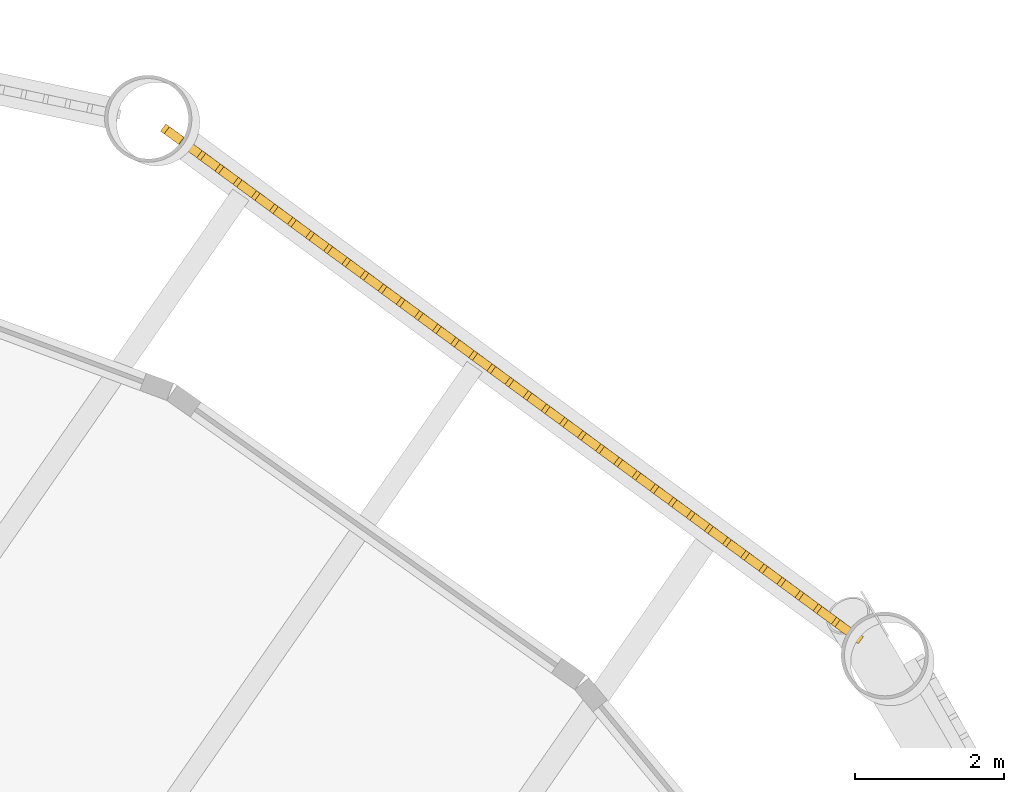
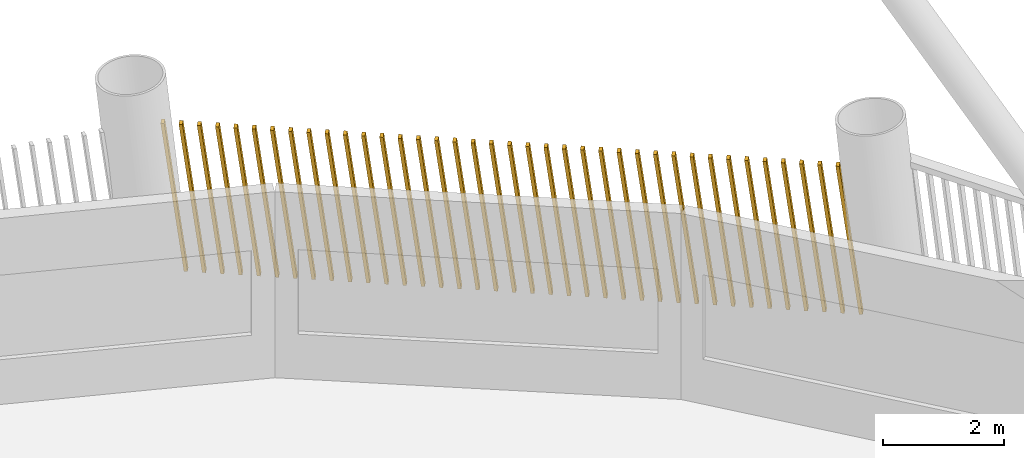
# One storey, part 22 of 23: 1 shading device.
"""IFC4 building model written with IfcOpenShell, lengths in metres."""

from ifc_helpers import new_model, si_unit, direction, frame, frame_2d, origin, place, context, subcontext, project, spatial, rectangle, composite_profile, extrude, material, type_object, element, save


model = new_model("IFC4")

# Units and contexts
model_context = context("Model", 3, precision=1e-05, world=origin(), true_north=direction((0.0, 1.0)))
body_context = subcontext(model_context, "Body", "Model", "MODEL_VIEW")
ifc_project = project(units=[si_unit("LENGTHUNIT", "METRE"), si_unit("AREAUNIT", "SQUARE_METRE"), si_unit("VOLUMEUNIT", "CUBIC_METRE"), si_unit("PLANEANGLEUNIT", "RADIAN"), si_unit("MASSUNIT", "GRAM", prefix="KILO")], contexts=[model_context])

# Site, building, storey
site_placement = place(None, origin())
site = spatial("IfcSite", under=ifc_project, at=site_placement, CompositionType="ELEMENT")
building_placement = place(site_placement, origin())
building = spatial("IfcBuilding", under=site, at=building_placement, Name="Tarsis Ring Headquarters", CompositionType="ELEMENT")
storey_placement = place(building_placement, frame((0.0, 0.0, 131.800048828125)))
storey = spatial("IfcBuildingStorey", under=building, at=storey_placement, Name="L30", CompositionType="ELEMENT", Elevation=131.800048828125)

# Shading device
ifc_material = material(Name="Terracotta baguette", Category="masonry")
shading_device_type = type_object("IfcShadingDeviceType", Name="Terracotta baguette screen", PredefinedType="USERDEFINED", material=ifc_material)
shading_device_placement = place(storey_placement, frame((21.352294921875, 19.545166015625, 0.0), z_axis=(0.0, 0.0, 1.0), x_axis=(-0.805642973413, 0.592403689636, 0.0)))
element("IfcShadingDevice", 1, at=shading_device_placement, inside=storey, type_object=shading_device_type, Name="Baguette screen L30-12", ObjectType="Terracotta baguette screen", PredefinedType="USERDEFINED", context=body_context, shape_type="SweptSolid", body=[
    extrude(composite_profile([rectangle(XDim=0.06005859375, YDim=0.1201171875, at=frame_2d((0.030029296875, 0.0))), rectangle(XDim=0.06005859375, YDim=0.1201171875, at=frame_2d((0.33251953125, 0.0))), rectangle(XDim=0.06005859375, YDim=0.1201171875, at=frame_2d((0.634765625, 0.0))), rectangle(XDim=0.06005859375, YDim=0.1201171875, at=frame_2d((0.937255859375, 0.0))), rectangle(XDim=0.06005859375, YDim=0.1201171875, at=frame_2d((1.239501953125, 0.0))), rectangle(XDim=0.06005859375, YDim=0.1201171875, at=frame_2d((1.5419921875, 0.0))), rectangle(XDim=0.06005859375, YDim=0.1201171875, at=frame_2d((1.844482421875, 0.0))), rectangle(XDim=0.06005859375, YDim=0.1201171875, at=frame_2d((2.146728515625, 0.0))), rectangle(XDim=0.06005859375, YDim=0.1201171875, at=frame_2d((2.44921875, 0.0))), rectangle(XDim=0.06005859375, YDim=0.1201171875, at=frame_2d((2.751708984375, 0.0))), rectangle(XDim=0.06005859375, YDim=0.1201171875, at=frame_2d((3.053955078125, 0.0))), rectangle(XDim=0.06005859375, YDim=0.1201171875, at=frame_2d((3.3564453125, 0.0))), rectangle(XDim=0.06005859375, YDim=0.1201171875, at=frame_2d((3.65869140625, 0.0))), rectangle(XDim=0.06005859375, YDim=0.1201171875, at=frame_2d((3.961181640625, 0.0))), rectangle(XDim=0.06005859375, YDim=0.1201171875, at=frame_2d((4.263671875, 0.0))), rectangle(XDim=0.06005859375, YDim=0.1201171875, at=frame_2d((4.56591796875, 0.0))), rectangle(XDim=0.06005859375, YDim=0.1201171875, at=frame_2d((4.868408203125, 0.0))), rectangle(XDim=0.06005859375, YDim=0.1201171875, at=frame_2d((5.1708984375, 0.0))), rectangle(XDim=0.06005859375, YDim=0.1201171875, at=frame_2d((5.47314453125, 0.0))), rectangle(XDim=0.06005859375, YDim=0.1201171875, at=frame_2d((5.775634765625, 0.0))), rectangle(XDim=0.06005859375, YDim=0.1201171875, at=frame_2d((6.077880859375, 0.0))), rectangle(XDim=0.06005859375, YDim=0.1201171875, at=frame_2d((6.38037109375, 0.0))), rectangle(XDim=0.06005859375, YDim=0.1201171875, at=frame_2d((6.682861328125, 0.0))), rectangle(XDim=0.06005859375, YDim=0.1201171875, at=frame_2d((6.985107421875, 0.0))), rectangle(XDim=0.06005859375, YDim=0.1201171875, at=frame_2d((7.28759765625, 0.0))), rectangle(XDim=0.06005859375, YDim=0.1201171875, at=frame_2d((7.590087890625, 0.0))), rectangle(XDim=0.06005859375, YDim=0.1201171875, at=frame_2d((7.892333984375, 0.0))), rectangle(XDim=0.06005859375, YDim=0.1201171875, at=frame_2d((8.19482421875, 0.0))), rectangle(XDim=0.06005859375, YDim=0.1201171875, at=frame_2d((8.4970703125, 0.0))), rectangle(XDim=0.06005859375, YDim=0.1201171875, at=frame_2d((8.799560546875, 0.0))), rectangle(XDim=0.06005859375, YDim=0.1201171875, at=frame_2d((9.10205078125, 0.0))), rectangle(XDim=0.06005859375, YDim=0.1201171875, at=frame_2d((9.404296875, 0.0))), rectangle(XDim=0.06005859375, YDim=0.1201171875, at=frame_2d((9.706787109375, 0.0))), rectangle(XDim=0.06005859375, YDim=0.1201171875, at=frame_2d((10.00927734375, 0.0))), rectangle(XDim=0.06005859375, YDim=0.1201171875, at=frame_2d((10.3115234375, 0.0))), rectangle(XDim=0.06005859375, YDim=0.1201171875, at=frame_2d((10.614013671875, 0.0))), rectangle(XDim=0.06005859375, YDim=0.1201171875, at=frame_2d((10.916259765625, 0.0))), rectangle(XDim=0.06005859375, YDim=0.1201171875, at=frame_2d((11.21875, 0.0)))]), origin(), (0.129810011276, 0.000886835677, 0.99153848866), 2.977783203125),
])

save(model, "model.ifc")
